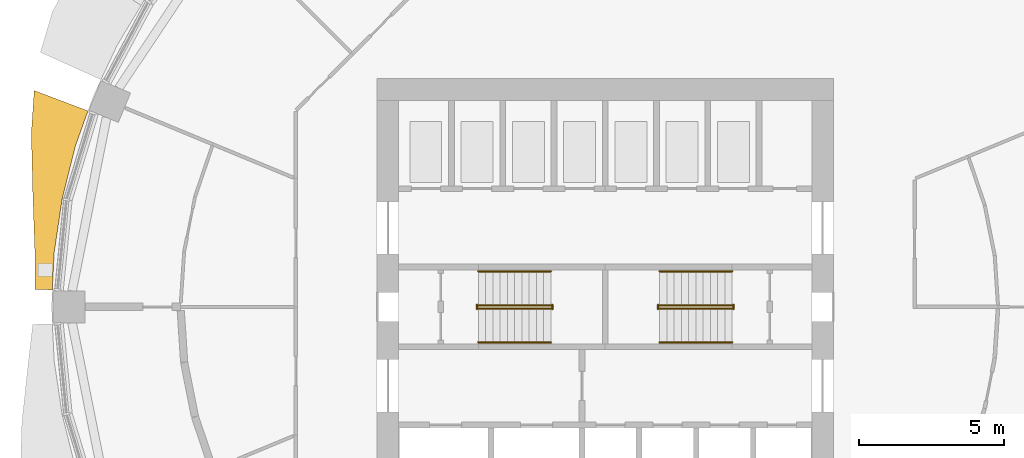
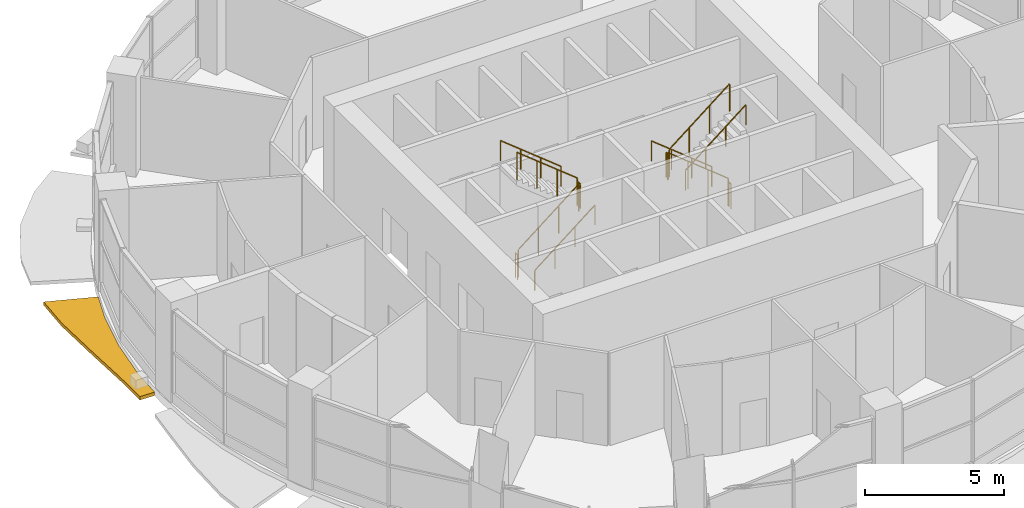
# One storey, part 11 of 13: 12 railings, 1 shading device.
"""IFC4 building model written with IfcOpenShell, lengths in metres."""

from ifc_helpers import new_model, si_unit, direction, frame, origin, origin_2d, place, context, subcontext, project, spatial, polyline, circle, outline, extrude, material, type_object, element, save


model = new_model("IFC4")

# Units and contexts
model_context = context("Model", 3, precision=1e-05, world=origin(), true_north=direction((0.0, 1.0)))
body_context = subcontext(model_context, "Body", "Model", "MODEL_VIEW")
ifc_project = project(units=[si_unit("LENGTHUNIT", "METRE"), si_unit("AREAUNIT", "SQUARE_METRE"), si_unit("VOLUMEUNIT", "CUBIC_METRE"), si_unit("PLANEANGLEUNIT", "RADIAN"), si_unit("MASSUNIT", "GRAM", prefix="KILO")], contexts=[model_context])

# Site, building, storey
site_placement = place(None, origin())
site = spatial("IfcSite", under=ifc_project, at=site_placement, CompositionType="ELEMENT")
building_placement = place(site_placement, origin())
building = spatial("IfcBuilding", under=site, at=building_placement, Name="Polderwave Tower", CompositionType="ELEMENT")
storey_placement = place(building_placement, frame((0.0, 0.0, 116.550048828125)))
storey = spatial("IfcBuildingStorey", under=building, at=storey_placement, Name="L30", CompositionType="ELEMENT", Elevation=116.550048828125)

# Railings
ifc_material_1 = material(Name="Stainless steel", Category="steel")
railing_type_1 = type_object("IfcRailingType", Name="Stair guard 1100", PredefinedType="GUARDRAIL", material=ifc_material_1)
railing_1_placement = place(storey_placement, frame((-4.3740234375, -0.051025390625, 0.079833984375)))
element("IfcRailing", 1, at=railing_1_placement, inside=storey, type_object=railing_type_1, Name="L30 ST-A stair guard 1", PredefinedType="GUARDRAIL", context=body_context, shape_type="SweptSolid", body=[
    extrude(circle(Radius=0.02392578125, at=origin_2d()), frame((0.0, 0.0, 1.1962890625), z_axis=(0.780868809443, 0.0, 0.624695047554), x_axis=(0.0, 1.0, 0.0)), (0.0, 0.0, 1.0), 3.20166015625),
    extrude(circle(Radius=0.02392578125, at=origin_2d()), origin(), (0.0, 0.0, 1.0), 1.172119140625),
    extrude(circle(Radius=0.02392578125, at=origin_2d()), frame((0.833251953125, 0.0, 0.666748046875)), (0.0, 0.0, 1.0), 1.172119140625),
    extrude(circle(Radius=0.02392578125, at=origin_2d()), frame((1.666748046875, 0.0, 1.333251953125)), (0.0, 0.0, 1.0), 1.172119140625),
    extrude(circle(Radius=0.02392578125, at=origin_2d()), frame((2.5, 0.0, 2.0)), (0.0, 0.0, 1.0), 1.172119140625),
])
railing_2_placement = place(storey_placement, frame((-1.823974609375, -0.074951171875, 2.199951171875)))
element("IfcRailing", 2, at=railing_2_placement, inside=storey, type_object=railing_type_1, Name="L30 ST-A stair guard 2", PredefinedType="GUARDRAIL", context=body_context, shape_type="SweptSolid", body=[
    extrude(circle(Radius=0.02392578125, at=origin_2d()), frame((0.0, 0.0, 1.076171875), z_axis=(0.0, 1.0, 0.0), x_axis=(-1.0, 0.0, 0.0)), (0.0, 0.0, 1.0), 0.14990234375),
    extrude(circle(Radius=0.02099609375, at=origin_2d()), origin(), (0.0, 0.0, 1.0), 1.052001953125),
    extrude(circle(Radius=0.02099609375, at=origin_2d()), frame((0.0, 0.14990234375, 0.0)), (0.0, 0.0, 1.0), 1.052001953125),
])
railing_3_placement = place(storey_placement, frame((-1.8740234375, 0.051025390625, 2.27978515625)))
element("IfcRailing", 3, at=railing_3_placement, inside=storey, type_object=railing_type_1, Name="L30 ST-A stair guard 3", PredefinedType="GUARDRAIL", context=body_context, shape_type="SweptSolid", body=[
    extrude(circle(Radius=0.02392578125, at=origin_2d()), frame((0.0, 0.0, 1.1962890625), z_axis=(-0.780868809443, 0.0, 0.624695047554), x_axis=(0.0, -1.0, 0.0)), (0.0, 0.0, 1.0), 3.20166015625),
    extrude(circle(Radius=0.02392578125, at=origin_2d()), origin(), (0.0, 0.0, 1.0), 1.172119140625),
    extrude(circle(Radius=0.02392578125, at=origin_2d()), frame((-0.833251953125, 0.0, 0.666748046875)), (0.0, 0.0, 1.0), 1.172119140625),
    extrude(circle(Radius=0.02392578125, at=origin_2d()), frame((-1.666748046875, 0.0, 1.333251953125)), (0.0, 0.0, 1.0), 1.172119140625),
    extrude(circle(Radius=0.02392578125, at=origin_2d()), frame((-2.5, 0.0, 2.0)), (0.0, 0.0, 1.0), 1.172119140625),
])
railing_4_placement = place(storey_placement, frame((-4.424072265625, -0.074951171875, 0.0)))
element("IfcRailing", 4, at=railing_4_placement, inside=storey, type_object=railing_type_1, Name="L30 ST-A stair guard 4", PredefinedType="GUARDRAIL", context=body_context, shape_type="SweptSolid", body=[
    extrude(circle(Radius=0.02392578125, at=origin_2d()), frame((0.0, 0.0, 1.076171875), z_axis=(0.0, 1.0, 0.0), x_axis=(-1.0, 0.0, 0.0)), (0.0, 0.0, 1.0), 0.14990234375),
    extrude(circle(Radius=0.02099609375, at=origin_2d()), origin(), (0.0, 0.0, 1.0), 1.052001953125),
    extrude(circle(Radius=0.02099609375, at=origin_2d()), frame((0.0, 0.14990234375, 0.0)), (0.0, 0.0, 1.0), 1.052001953125),
])
railing_5_placement = place(storey_placement, frame((4.3740234375, 0.051025390625, 0.079833984375)))
element("IfcRailing", 5, at=railing_5_placement, inside=storey, type_object=railing_type_1, Name="L30 ST-B stair guard 1", PredefinedType="GUARDRAIL", context=body_context, shape_type="SweptSolid", body=[
    extrude(circle(Radius=0.02392578125, at=origin_2d()), frame((0.0, 0.0, 1.1962890625), z_axis=(-0.780868809443, 0.0, 0.624695047554), x_axis=(0.0, -1.0, 0.0)), (0.0, 0.0, 1.0), 3.20166015625),
    extrude(circle(Radius=0.02392578125, at=origin_2d()), origin(), (0.0, 0.0, 1.0), 1.172119140625),
    extrude(circle(Radius=0.02392578125, at=origin_2d()), frame((-0.833251953125, 0.0, 0.666748046875)), (0.0, 0.0, 1.0), 1.172119140625),
    extrude(circle(Radius=0.02392578125, at=origin_2d()), frame((-1.666748046875, 0.0, 1.333251953125)), (0.0, 0.0, 1.0), 1.172119140625),
    extrude(circle(Radius=0.02392578125, at=origin_2d()), frame((-2.5, 0.0, 2.0)), (0.0, 0.0, 1.0), 1.172119140625),
])
railing_6_placement = place(storey_placement, frame((1.823974609375, 0.074951171875, 2.199951171875)))
element("IfcRailing", 6, at=railing_6_placement, inside=storey, type_object=railing_type_1, Name="L30 ST-B stair guard 2", PredefinedType="GUARDRAIL", context=body_context, shape_type="SweptSolid", body=[
    extrude(circle(Radius=0.02392578125, at=origin_2d()), frame((0.0, 0.0, 1.076171875), z_axis=(0.0, -1.0, 0.0), x_axis=(1.0, 0.0, 0.0)), (0.0, 0.0, 1.0), 0.14990234375),
    extrude(circle(Radius=0.02099609375, at=origin_2d()), origin(), (0.0, 0.0, 1.0), 1.052001953125),
    extrude(circle(Radius=0.02099609375, at=origin_2d()), frame((0.0, -0.14990234375, 0.0)), (0.0, 0.0, 1.0), 1.052001953125),
])
railing_7_placement = place(storey_placement, frame((1.8740234375, -0.051025390625, 2.27978515625)))
element("IfcRailing", 7, at=railing_7_placement, inside=storey, type_object=railing_type_1, Name="L30 ST-B stair guard 3", PredefinedType="GUARDRAIL", context=body_context, shape_type="SweptSolid", body=[
    extrude(circle(Radius=0.02392578125, at=origin_2d()), frame((0.0, 0.0, 1.1962890625), z_axis=(0.780868809443, 0.0, 0.624695047554), x_axis=(0.0, 1.0, 0.0)), (0.0, 0.0, 1.0), 3.20166015625),
    extrude(circle(Radius=0.02392578125, at=origin_2d()), origin(), (0.0, 0.0, 1.0), 1.172119140625),
    extrude(circle(Radius=0.02392578125, at=origin_2d()), frame((0.833251953125, 0.0, 0.666748046875)), (0.0, 0.0, 1.0), 1.172119140625),
    extrude(circle(Radius=0.02392578125, at=origin_2d()), frame((1.666748046875, 0.0, 1.333251953125)), (0.0, 0.0, 1.0), 1.172119140625),
    extrude(circle(Radius=0.02392578125, at=origin_2d()), frame((2.5, 0.0, 2.0)), (0.0, 0.0, 1.0), 1.172119140625),
])
railing_8_placement = place(storey_placement, frame((4.424072265625, 0.074951171875, 0.0)))
element("IfcRailing", 8, at=railing_8_placement, inside=storey, type_object=railing_type_1, Name="L30 ST-B stair guard 4", PredefinedType="GUARDRAIL", context=body_context, shape_type="SweptSolid", body=[
    extrude(circle(Radius=0.02392578125, at=origin_2d()), frame((0.0, 0.0, 1.076171875), z_axis=(0.0, -1.0, 0.0), x_axis=(1.0, 0.0, 0.0)), (0.0, 0.0, 1.0), 0.14990234375),
    extrude(circle(Radius=0.02099609375, at=origin_2d()), origin(), (0.0, 0.0, 1.0), 1.052001953125),
    extrude(circle(Radius=0.02099609375, at=origin_2d()), frame((0.0, -0.14990234375, 0.0)), (0.0, 0.0, 1.0), 1.052001953125),
])
railing_type_2 = type_object("IfcRailingType", Name="Stair handrail 900", PredefinedType="HANDRAIL", material=ifc_material_1)
railing_9_placement = place(storey_placement, frame((-4.3740234375, -1.22509765625, 0.199951171875)))
element("IfcRailing", 9, at=railing_9_placement, inside=storey, type_object=railing_type_2, Name="L30 ST-A stair handrail 1", PredefinedType="HANDRAIL", context=body_context, shape_type="SweptSolid", body=[
    extrude(circle(Radius=0.02392578125, at=origin_2d()), frame((0.0, 0.0, 0.8759765625), z_axis=(0.780868809443, 0.0, 0.624695047554), x_axis=(0.0, 1.0, 0.0)), (0.0, 0.0, 1.0), 3.20166015625),
    extrude(circle(Radius=0.02099609375, at=origin_2d()), origin(), (0.0, 0.0, 1.0), 0.851806640625),
    extrude(circle(Radius=0.02099609375, at=origin_2d()), frame((0.833251953125, 0.0, 0.666748046875)), (0.0, 0.0, 1.0), 0.851806640625),
    extrude(circle(Radius=0.02099609375, at=origin_2d()), frame((1.666748046875, 0.0, 1.333251953125)), (0.0, 0.0, 1.0), 0.851806640625),
    extrude(circle(Radius=0.02099609375, at=origin_2d()), frame((2.5, 0.0, 2.0)), (0.0, 0.0, 1.0), 0.851806640625),
])
for number, where, name in (
    (10, (-1.8740234375, 1.22509765625, 2.39990234375), "L30 ST-A stair handrail 2"),
    (11, (4.3740234375, 1.22509765625, 0.199951171875), "L30 ST-B stair handrail 1"),
):
    element("IfcRailing", number, at=place(storey_placement, frame(where)), inside=storey, type_object=railing_type_2, Name=name, PredefinedType="HANDRAIL", context=body_context, shape_type="SweptSolid", body=[
        extrude(circle(Radius=0.02392578125, at=origin_2d()), frame((0.0, 0.0, 0.8759765625), z_axis=(-0.780868809443, 0.0, 0.624695047554), x_axis=(0.0, -1.0, 0.0)), (0.0, 0.0, 1.0), 3.20166015625),
        extrude(circle(Radius=0.02099609375, at=origin_2d()), origin(), (0.0, 0.0, 1.0), 0.851806640625),
        extrude(circle(Radius=0.02099609375, at=origin_2d()), frame((-0.833251953125, 0.0, 0.666748046875)), (0.0, 0.0, 1.0), 0.851806640625),
        extrude(circle(Radius=0.02099609375, at=origin_2d()), frame((-1.666748046875, 0.0, 1.333251953125)), (0.0, 0.0, 1.0), 0.851806640625),
        extrude(circle(Radius=0.02099609375, at=origin_2d()), frame((-2.5, 0.0, 2.0)), (0.0, 0.0, 1.0), 0.851806640625),
    ])
railing_10_placement = place(storey_placement, frame((1.8740234375, -1.22509765625, 2.39990234375)))
element("IfcRailing", 12, at=railing_10_placement, inside=storey, type_object=railing_type_2, Name="L30 ST-B stair handrail 2", PredefinedType="HANDRAIL", context=body_context, shape_type="SweptSolid", body=[
    extrude(circle(Radius=0.02392578125, at=origin_2d()), frame((0.0, 0.0, 0.8759765625), z_axis=(0.780868809443, 0.0, 0.624695047554), x_axis=(0.0, 1.0, 0.0)), (0.0, 0.0, 1.0), 3.20166015625),
    extrude(circle(Radius=0.02099609375, at=origin_2d()), origin(), (0.0, 0.0, 1.0), 0.851806640625),
    extrude(circle(Radius=0.02099609375, at=origin_2d()), frame((0.833251953125, 0.0, 0.666748046875)), (0.0, 0.0, 1.0), 0.851806640625),
    extrude(circle(Radius=0.02099609375, at=origin_2d()), frame((1.666748046875, 0.0, 1.333251953125)), (0.0, 0.0, 1.0), 0.851806640625),
    extrude(circle(Radius=0.02099609375, at=origin_2d()), frame((2.5, 0.0, 2.0)), (0.0, 0.0, 1.0), 0.851806640625),
])

# Shading device
ifc_material_2 = material(Name="Terracotta", Category="masonry")
shading_device_type = type_object("IfcShadingDeviceType", Name="Terracotta sunshade band", PredefinedType="USERDEFINED", material=ifc_material_2)
shading_device_placement = place(storey_placement, frame((0.0, 0.0, -0.35009765625)))
element("IfcShadingDevice", 13, at=shading_device_placement, inside=storey, type_object=shading_device_type, Name="Sunshade band L30 8", ObjectType="SUNSHADE", PredefinedType="USERDEFINED", context=body_context, shape_type="SweptSolid", body=[
    extrude(outline(polyline([(-17.84326171875, 6.75830078125), (-18.277587890625, 5.54443359375), (-18.73291015625, 3.726318359375), (-19.008056640625, 1.8720703125), (-19.0712890625, 0.58447265625), (-19.67138671875, 0.602783203125), (-19.67578125, 1.93798828125), (-19.746337890625, 3.927734375), (-19.795654296875, 6.0048828125), (-19.6962890625, 7.460205078125), (-17.84326171875, 6.75830078125)])), origin(), (0.0, 0.0, 1.0), 0.150146484375),
])

save(model, "model.ifc")
